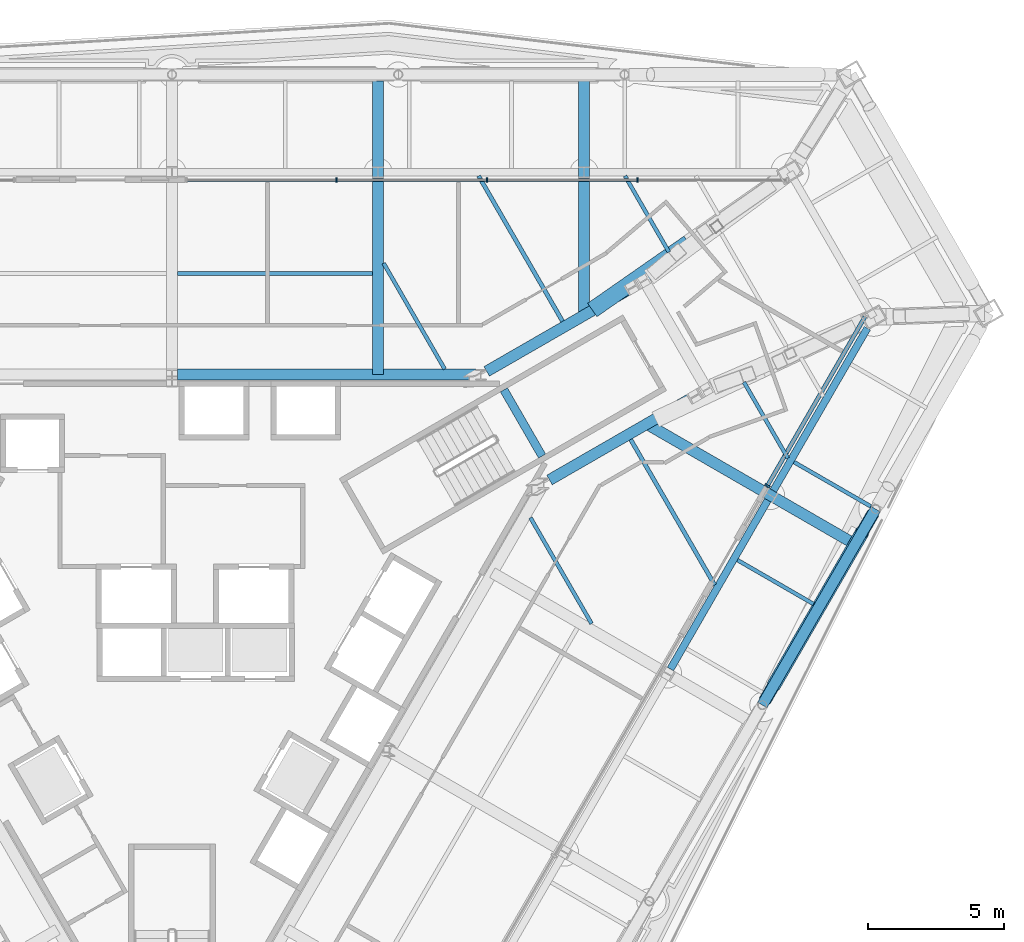
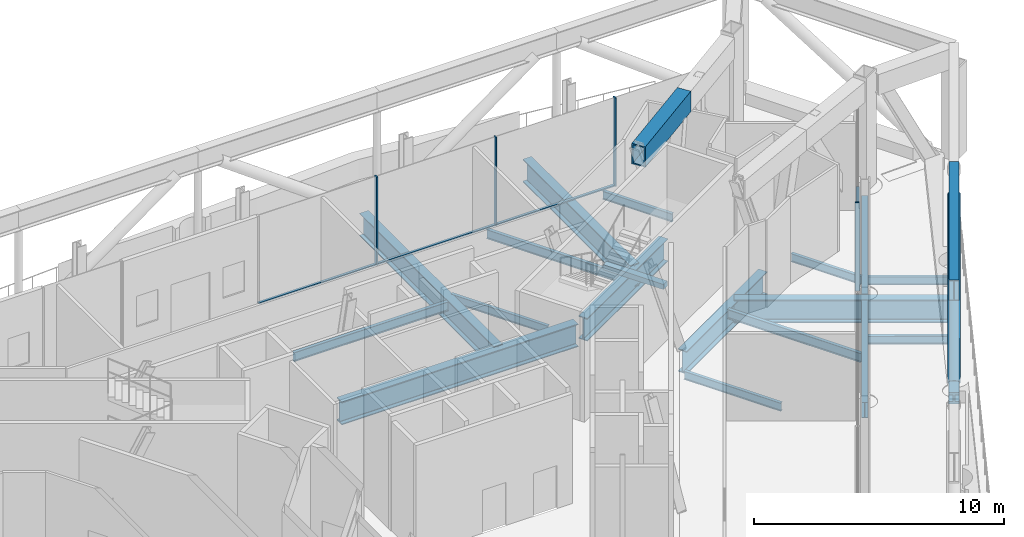
# One storey, part 11 of 25: 21 beams, 9 members, 2 elements without a shape of their own.
"""IFC4 building model written with IfcOpenShell, lengths in metres."""

from ifc_helpers import new_model, si_unit, direction, frame, origin, origin_2d, place, context, subcontext, project, spatial, rectangle, hollow_rectangle, hollow_circle, i_section, extrude, material, material_profile, profile_set, type_object, element, aggregate, save


model = new_model("IFC4")

# Units and contexts
model_context = context("Model", 3, precision=1e-05, world=origin(), true_north=direction((0.0, 1.0)))
body_context = subcontext(model_context, "Body", "Model", "MODEL_VIEW")
ifc_project = project(units=[si_unit("LENGTHUNIT", "METRE"), si_unit("AREAUNIT", "SQUARE_METRE"), si_unit("VOLUMEUNIT", "CUBIC_METRE"), si_unit("PLANEANGLEUNIT", "RADIAN"), si_unit("MASSUNIT", "GRAM", prefix="KILO")], contexts=[model_context])

# Site, building, storey
site_placement = place(None, origin())
site = spatial("IfcSite", under=ifc_project, at=site_placement, CompositionType="ELEMENT")
building_placement = place(site_placement, origin())
building = spatial("IfcBuilding", under=site, at=building_placement, Name="Verrane Prism Tower", CompositionType="ELEMENT")
storey_placement = place(building_placement, frame((0.0, 0.0, 143.199951171875)))
storey = spatial("IfcBuildingStorey", under=building, at=storey_placement, Name="L35", CompositionType="ELEMENT", Elevation=143.199951171875)

# Beams
ifc_material_1 = material(Name="Steel A992", Category="steel")
ifc_material_profile_1 = material_profile(ifc_material_1, i_section(OverallWidth=0.45458984375, OverallDepth=0.56884765625, WebThickness=0.077880859375, FlangeThickness=0.124755859375, FilletRadius=0.01513671875, at=origin_2d()), Name="W14x730")
ifc_profile_set_1 = profile_set([ifc_material_profile_1], Name="Steel A992")
beam_type_1 = type_object("IfcBeamType", Name="Belt truss chord W14x730", PredefinedType="BEAM", material=ifc_profile_set_1)
beam_1_placement = place(storey_placement, frame((21.711181640625, -2.769287109375, -0.445556640625), z_axis=(0.50043226125, 0.865775693757, 0.0), x_axis=(-0.865775693757, 0.50043226125, 0.0)))
element("IfcBeam", 1, at=beam_1_placement, inside=storey, type_object=beam_type_1, Name="Belt truss chord L35", PredefinedType="BEAM", context=body_context, shape_type="SweptSolid", body=[
    extrude(i_section(OverallWidth=0.45458984375, OverallDepth=0.56884765625, WebThickness=0.077880859375, FlangeThickness=0.124755859375, FilletRadius=0.01513671875, at=origin_2d()), origin(), (0.0, 0.0, 1.0), 7.96826171875),
])
ifc_material_2 = material(Name="Steel A992", Category="steel")
ifc_material_profile_2 = material_profile(ifc_material_2, i_section(OverallWidth=0.4013671875, OverallDepth=1.000732421875, WebThickness=0.01904296875, FlangeThickness=0.0361328125, FilletRadius=0.030029296875, at=origin_2d()), Name="W40x249")
ifc_profile_set_2 = profile_set([ifc_material_profile_2], Name="Steel A992")
beam_type_2 = type_object("IfcBeamType", Name="Belt truss chord W40x249", PredefinedType="BEAM", material=ifc_profile_set_2)
beam_2_placement = place(storey_placement, frame((21.6298828125, -2.909912109375, 4.939697265625), z_axis=(0.500435030405, 0.865774093135, 0.0), x_axis=(-0.865774093135, 0.500435030405, 0.0)))
element("IfcBeam", 2, at=beam_2_placement, inside=storey, type_object=beam_type_2, Name="Belt truss chord L35", PredefinedType="BEAM", context=body_context, shape_type="SweptSolid", body=[
    extrude(i_section(OverallWidth=0.4013671875, OverallDepth=1.000732421875, WebThickness=0.01904296875, FlangeThickness=0.0361328125, FilletRadius=0.030029296875, at=origin_2d()), origin(), (0.0, 0.0, 1.0), 8.29296875),
])

# Member
ifc_material_3 = material(Name="Steel A500 Grade C", Category="steel")
ifc_material_profile_3 = material_profile(ifc_material_3, hollow_circle(Radius=0.25390625, WallThickness=0.0126953125, at=origin_2d()), Name="HSS20.000x0.500")
ifc_profile_set_3 = profile_set([ifc_material_profile_3], Name="Steel A500 Grade C")
member_type_1 = type_object("IfcMemberType", Name="Belt truss diagonal HSS20.000x0.500", PredefinedType="BRACE", material=ifc_profile_set_3)
member_1_placement = place(storey_placement, frame((22.044677734375, -2.192626953125, -0.160888671875), z_axis=(0.404989270182, 0.700708769601, 0.587359269309), x_axis=(-0.865792640311, 0.500402941621, 0.0)))
element("IfcMember", 3, at=member_1_placement, inside=storey, type_object=member_type_1, Name="Belt truss diagonal L35", PredefinedType="BRACE", context=body_context, shape_type="SweptSolid", body=[
    extrude(hollow_circle(Radius=0.25390625, WallThickness=0.0126953125, at=origin_2d()), origin(), (0.0, 0.0, 1.0), 8.018798828125),
])

# Beams
ifc_material_4 = material(Name="Steel A992", Category="steel")
ifc_material_profile_4 = material_profile(ifc_material_4, i_section(OverallWidth=0.140380859375, OverallDepth=0.40380859375, WebThickness=0.007080078125, FlangeThickness=0.01123046875, FilletRadius=0.01025390625, at=origin_2d()), Name="W16x31")
ifc_profile_set_4 = profile_set([ifc_material_profile_4], Name="Steel A992")
beam_type_3 = type_object("IfcBeamType", Name="Floor beam W16x31", PredefinedType="BEAM", material=ifc_profile_set_4)
beam_3_placement = place(storey_placement, frame((18.20703125, 13.688232421875, -0.36181640625), z_axis=(-0.499947822806, 0.866055526205, 0.0), x_axis=(-0.866055526205, -0.499947822806, 0.0)))
element("IfcBeam", 4, at=beam_3_placement, inside=storey, type_object=beam_type_3, Name="Floor beam L35", PredefinedType="BEAM", context=body_context, shape_type="SweptSolid", body=[
    extrude(i_section(OverallWidth=0.140380859375, OverallDepth=0.40380859375, WebThickness=0.007080078125, FlangeThickness=0.01123046875, FilletRadius=0.01025390625, at=origin_2d()), origin(), (0.0, 0.0, 1.0), 3.219482421875),
])
beam_4_placement = place(storey_placement, frame((9.990478515625, 9.402099609375, -0.36181640625), z_axis=(-0.50002771935, 0.866009399419, 0.0), x_axis=(-0.866009399419, -0.50002771935, 0.0)))
element("IfcBeam", 5, at=beam_4_placement, inside=storey, type_object=beam_type_3, Name="Floor beam L35", PredefinedType="BEAM", context=body_context, shape_type="SweptSolid", body=[
    extrude(i_section(OverallWidth=0.140380859375, OverallDepth=0.40380859375, WebThickness=0.007080078125, FlangeThickness=0.01123046875, FilletRadius=0.01025390625, at=origin_2d()), origin(), (0.0, 0.0, 1.0), 4.476806640625),
])
beam_5_placement = place(storey_placement, frame((25.6044921875, 4.36669921875, -0.36181640625), z_axis=(-0.86600537477, 0.500034689667, 0.0), x_axis=(-0.500034689667, -0.86600537477, 0.0)))
element("IfcBeam", 6, at=beam_5_placement, inside=storey, type_object=beam_type_3, Name="Floor beam L35", PredefinedType="BEAM", context=body_context, shape_type="SweptSolid", body=[
    extrude(i_section(OverallWidth=0.140380859375, OverallDepth=0.40380859375, WebThickness=0.007080078125, FlangeThickness=0.01123046875, FilletRadius=0.01025390625, at=origin_2d()), origin(), (0.0, 0.0, 1.0), 3.248779296875),
])
beam_6_placement = place(storey_placement, frame((23.50634765625, 0.790771484375, -0.36181640625), z_axis=(-0.866036570771, 0.499980657714, 0.0), x_axis=(-0.499980657714, -0.866036570771, 0.0)))
element("IfcBeam", 7, at=beam_6_placement, inside=storey, type_object=beam_type_3, Name="Floor beam L35", PredefinedType="BEAM", context=body_context, shape_type="SweptSolid", body=[
    extrude(i_section(OverallWidth=0.140380859375, OverallDepth=0.40380859375, WebThickness=0.007080078125, FlangeThickness=0.01123046875, FilletRadius=0.01025390625, at=origin_2d()), origin(), (0.0, 0.0, 1.0), 3.219482421875),
])
beam_7_placement = place(storey_placement, frame((15.373291015625, 0.073486328125, -0.36181640625), z_axis=(-0.499989762656, 0.866031314237, 0.0), x_axis=(-0.866031314237, -0.499989762656, 0.0)))
element("IfcBeam", 8, at=beam_7_placement, inside=storey, type_object=beam_type_3, Name="Floor beam L35", PredefinedType="BEAM", context=body_context, shape_type="SweptSolid", body=[
    extrude(i_section(OverallWidth=0.140380859375, OverallDepth=0.40380859375, WebThickness=0.007080078125, FlangeThickness=0.01123046875, FilletRadius=0.01025390625, at=origin_2d()), origin(), (0.0, 0.0, 1.0), 4.47998046875),
])
beam_8_placement = place(storey_placement, frame((22.56494140625, 6.133544921875, -0.36181640625), z_axis=(-0.499991807846, 0.866030133475, 0.0), x_axis=(-0.866030133475, -0.499991807846, 0.0)))
element("IfcBeam", 9, at=beam_8_placement, inside=storey, type_object=beam_type_3, Name="Floor beam L35", PredefinedType="BEAM", context=body_context, shape_type="SweptSolid", body=[
    extrude(i_section(OverallWidth=0.140380859375, OverallDepth=0.40380859375, WebThickness=0.007080078125, FlangeThickness=0.01123046875, FilletRadius=0.01025390625, at=origin_2d()), origin(), (0.0, 0.0, 1.0), 3.216796875),
])
ifc_material_5 = material(Name="Steel A992", Category="steel")
ifc_material_profile_5 = material_profile(ifc_material_5, i_section(OverallWidth=0.15234375, OverallDepth=0.449462890625, WebThickness=0.007568359375, FlangeThickness=0.0107421875, FilletRadius=0.01025390625, at=origin_2d()), Name="W18x35")
ifc_profile_set_5 = profile_set([ifc_material_profile_5], Name="Steel A992")
beam_type_4 = type_object("IfcBeamType", Name="Floor beam W18x35", PredefinedType="BEAM", material=ifc_profile_set_5)
beam_9_placement = place(storey_placement, frame((14.310302734375, 11.148681640625, -0.384765625), z_axis=(-0.49998467404, 0.866034252051, 0.0), x_axis=(-0.866034252051, -0.49998467404, 0.0)))
element("IfcBeam", 10, at=beam_9_placement, inside=storey, type_object=beam_type_4, Name="Floor beam L35", PredefinedType="BEAM", context=body_context, shape_type="SweptSolid", body=[
    extrude(i_section(OverallWidth=0.15234375, OverallDepth=0.449462890625, WebThickness=0.007568359375, FlangeThickness=0.0107421875, FilletRadius=0.01025390625, at=origin_2d()), origin(), (0.0, 0.0, 1.0), 6.152099609375),
])
beam_10_placement = place(storey_placement, frame((0.201904296875, 12.905029296875, -0.384765625), z_axis=(1.0, 0.0, 0.0), x_axis=(0.0, 1.0, 0.0)))
element("IfcBeam", 11, at=beam_10_placement, inside=storey, type_object=beam_type_4, Name="Floor beam L35", PredefinedType="BEAM", context=body_context, shape_type="SweptSolid", body=[
    extrude(i_section(OverallWidth=0.15234375, OverallDepth=0.449462890625, WebThickness=0.007568359375, FlangeThickness=0.0107421875, FilletRadius=0.01025390625, at=origin_2d()), origin(), (0.0, 0.0, 1.0), 7.14599609375),
])
beam_11_placement = place(storey_placement, frame((19.8837890625, 1.487548828125, -0.384765625), z_axis=(-0.500007360046, 0.866021154418, 0.0), x_axis=(-0.866021154418, -0.500007360046, 0.0)))
element("IfcBeam", 12, at=beam_11_placement, inside=storey, type_object=beam_type_4, Name="Floor beam L35", PredefinedType="BEAM", context=body_context, shape_type="SweptSolid", body=[
    extrude(i_section(OverallWidth=0.15234375, OverallDepth=0.449462890625, WebThickness=0.007568359375, FlangeThickness=0.0107421875, FilletRadius=0.01025390625, at=origin_2d()), origin(), (0.0, 0.0, 1.0), 6.15673828125),
])

# Curtain wall, members
ifc_material_6 = material(Name="Aluminium framed insulated glazing", Category="aluminium")
curtain_wall_type_1 = type_object("IfcCurtainWallType", Name="Curtain wall CW-B 5600 module", PredefinedType="NOTDEFINED", material=ifc_material_6)
curtain_wall_1_placement = place(storey_placement, origin())
curtain_wall_1 = element("IfcCurtainWall", 13, at=curtain_wall_1_placement, inside=storey, type_object=curtain_wall_type_1, Name="Refuge lounge glazing north face L35 1", PredefinedType="NOTDEFINED")
ifc_material_7 = material(Name="Aluminium alloy 6063-T6", Category="aluminium")
ifc_material_profile_6 = material_profile(ifc_material_7, rectangle(XDim=0.159912109375, YDim=0.06005859375, at=origin_2d()), Name="Mullion 60x160 aluminium")
ifc_profile_set_6 = profile_set([ifc_material_profile_6], Name="Aluminium alloy 6063-T6")
member_type_2 = type_object("IfcMemberType", Name="Mullion 60x160 aluminium", PredefinedType="MULLION", material=ifc_profile_set_6)
member_2_placement = place(storey_placement, frame((17.054443359375, 16.3310546875, 0.0), z_axis=(0.0, 0.0, 1.0), x_axis=(0.0, -1.0, 0.0)))
member_2 = element("IfcMember", 14, at=member_2_placement, type_object=member_type_2, Name="CW35.2.1 mullion 2", PredefinedType="MULLION", context=body_context, shape_type="SweptSolid", body=[
    extrude(rectangle(XDim=0.159912109375, YDim=0.06005859375, at=origin_2d()), origin(), (0.0, 0.0, 1.0), 4.322509765625),
])
member_3_placement = place(storey_placement, frame((11.53857421875, 16.3310546875, 0.0), z_axis=(0.0, 0.0, 1.0), x_axis=(0.0, -1.0, 0.0)))
member_3 = element("IfcMember", 15, at=member_3_placement, type_object=member_type_2, Name="CW35.2.1 mullion 3", PredefinedType="MULLION", context=body_context, shape_type="SweptSolid", body=[
    extrude(rectangle(XDim=0.159912109375, YDim=0.06005859375, at=origin_2d()), origin(), (0.0, 0.0, 1.0), 4.322509765625),
])
member_4_placement = place(storey_placement, frame((6.022705078125, 16.3310546875, 0.0), z_axis=(0.0, 0.0, 1.0), x_axis=(0.0, -1.0, 0.0)))
member_4 = element("IfcMember", 16, at=member_4_placement, type_object=member_type_2, Name="CW35.2.1 mullion 4", PredefinedType="MULLION", context=body_context, shape_type="SweptSolid", body=[
    extrude(rectangle(XDim=0.159912109375, YDim=0.06005859375, at=origin_2d()), origin(), (0.0, 0.0, 1.0), 4.322509765625),
])

# Curtain wall, member
ifc_material_8 = material(Name="Aluminium framed insulated glazing", Category="aluminium")
curtain_wall_type_2 = type_object("IfcCurtainWallType", Name="Curtain wall CW-A 8400 module", PredefinedType="NOTDEFINED", material=ifc_material_8)
curtain_wall_2_placement = place(storey_placement, origin())
curtain_wall_2 = element("IfcCurtainWall", 17, at=curtain_wall_2_placement, inside=storey, type_object=curtain_wall_type_2, Name="Refuge lounge glazing south-east face L35 3", PredefinedType="NOTDEFINED")
ifc_material_9 = material(Name="Aluminium alloy 6063-T6", Category="aluminium")
ifc_material_profile_7 = material_profile(ifc_material_9, rectangle(XDim=0.199951171875, YDim=0.070068359375, at=origin_2d()), Name="Mullion 70x200 aluminium")
ifc_profile_set_7 = profile_set([ifc_material_profile_7], Name="Aluminium alloy 6063-T6")
member_type_3 = type_object("IfcMemberType", Name="Mullion 70x200 aluminium", PredefinedType="MULLION", material=ifc_profile_set_7)
member_5_placement = place(storey_placement, frame((21.817626953125, 5.12744140625, 0.0), z_axis=(0.0, 0.0, 1.0), x_axis=(-0.866022636037, 0.500004793849, 0.0)))
member_5 = element("IfcMember", 18, at=member_5_placement, type_object=member_type_3, Name="CW35.6.3 mullion 1", PredefinedType="MULLION", context=body_context, shape_type="SweptSolid", body=[
    extrude(rectangle(XDim=0.199951171875, YDim=0.070068359375, at=origin_2d()), origin(), (0.0, 0.0, 1.0), 4.322509765625),
])

# Beams
ifc_material_10 = material(Name="Steel A572 Grade 50", Category="steel")
ifc_material_profile_8 = material_profile(ifc_material_10, hollow_rectangle(XDim=0.60009765625, YDim=1.0, WallThickness=0.06005859375, at=origin_2d()), Name="BOX 1000x600x60")
ifc_profile_set_8 = profile_set([ifc_material_profile_8], Name="Steel A572 Grade 50")
beam_type_5 = type_object("IfcBeamType", Name="Outrigger truss chord BOX 1000x600x60", PredefinedType="BEAM", material=ifc_profile_set_8)
beam_12_placement = place(storey_placement, frame((18.929931640625, 14.02490234375, 4.93994140625), z_axis=(-0.820503788975, -0.57164108694, 0.0), x_axis=(0.57164108694, -0.820503788975, 0.0)))
element("IfcBeam", 19, at=beam_12_placement, inside=storey, type_object=beam_type_5, Name="Outrigger truss chord L35", PredefinedType="BEAM", context=body_context, shape_type="SweptSolid", body=[
    extrude(hollow_rectangle(XDim=0.60009765625, YDim=1.0, WallThickness=0.06005859375, at=origin_2d()), origin(), (0.0, 0.0, 1.0), 4.3037109375),
])
ifc_material_11 = material(Name="Steel A992", Category="steel")
ifc_material_profile_9 = material_profile(ifc_material_11, i_section(OverallWidth=0.2666015625, OverallDepth=0.7568359375, WebThickness=0.013916015625, FlangeThickness=0.019287109375, FilletRadius=0.0166015625, at=origin_2d()), Name="W30x108")
ifc_profile_set_9 = profile_set([ifc_material_profile_9], Name="Steel A992")
beam_type_6 = type_object("IfcBeamType", Name="Spandrel beam W30x108", PredefinedType="SPANDREL", material=ifc_profile_set_9)
beam_13_placement = place(storey_placement, frame((18.2626953125, -1.591796875, -0.538330078125), z_axis=(0.499432230493, 0.866352957601, 0.0), x_axis=(-0.866352957601, 0.499432230493, 0.0)))
element("IfcBeam", 20, at=beam_13_placement, inside=storey, type_object=beam_type_6, Name="Spandrel beam L35", PredefinedType="SPANDREL", context=body_context, shape_type="SweptSolid", body=[
    extrude(i_section(OverallWidth=0.2666015625, OverallDepth=0.7568359375, WebThickness=0.013916015625, FlangeThickness=0.019287109375, FilletRadius=0.0166015625, at=origin_2d()), origin(), (0.0, 0.0, 1.0), 7.137451171875),
])
beam_14_placement = place(storey_placement, frame((22.033203125, 4.947998046875, -0.538330078125), z_axis=(0.500974701182, 0.865461927976, 0.0), x_axis=(-0.865461927976, 0.500974701182, 0.0)))
element("IfcBeam", 21, at=beam_14_placement, inside=storey, type_object=beam_type_6, Name="Spandrel beam L35", PredefinedType="SPANDREL", context=body_context, shape_type="SweptSolid", body=[
    extrude(i_section(OverallWidth=0.2666015625, OverallDepth=0.7568359375, WebThickness=0.013916015625, FlangeThickness=0.019287109375, FilletRadius=0.0166015625, at=origin_2d()), origin(), (0.0, 0.0, 1.0), 6.877685546875),
])
ifc_material_12 = material(Name="Concrete C40/50", Category="concrete")
ifc_material_profile_10 = material_profile(ifc_material_12, rectangle(XDim=0.300048828125, YDim=0.25, at=origin_2d()), Name="RC 300x250")
ifc_profile_set_10 = profile_set([ifc_material_profile_10], Name="Concrete C40/50")
beam_type_7 = type_object("IfcBeamType", Name="Stair landing trimmer beam 300x250 concrete C40/50", PredefinedType="BEAM", material=ifc_profile_set_10)
beam_15_placement = place(storey_placement, frame((12.160400390625, 8.637451171875, 2.47509765625), z_axis=(0.500049511043, -0.865996816683, 0.0), x_axis=(0.865996816683, 0.500049511043, 0.0)))
element("IfcBeam", 22, at=beam_15_placement, inside=storey, type_object=beam_type_7, Name="Stair 1 landing trimmer beam", PredefinedType="BEAM", context=body_context, shape_type="SweptSolid", body=[
    extrude(rectangle(XDim=0.300048828125, YDim=0.25, at=origin_2d()), origin(), (0.0, 0.0, 1.0), 2.800048828125),
])
ifc_material_13 = material(Name="Steel A992", Category="steel")
ifc_material_profile_11 = material_profile(ifc_material_13, i_section(OverallWidth=0.40380859375, OverallDepth=1.11767578125, WebThickness=0.026123046875, FlangeThickness=0.044921875, FilletRadius=0.02001953125, at=origin_2d()), Name="W44x335")
ifc_profile_set_11 = profile_set([ifc_material_profile_11], Name="Steel A992")
beam_type_8 = type_object("IfcBeamType", Name="Transfer girder W44x335", PredefinedType="BEAM", material=ifc_profile_set_11)
for number, where, z_axis, x_axis, name in (
    (23, (13.830810546875, 5.335693359375, -0.808837890625), (0.866455532004, 0.499254254924, 0.0), (-0.499254254924, 0.866455532004, 0.0), "Transfer girder L35"),
    (24, (17.11181640625, 12.531494140625, -0.808837890625), (-0.866455532004, -0.499254254924, 0.0), (0.499254254924, -0.866455532004, 0.0), "Transfer girder L35"),
):
    element("IfcBeam", number, at=place(storey_placement, frame(where, z_axis=z_axis, x_axis=x_axis)), inside=storey, type_object=beam_type_8, Name=name, PredefinedType="BEAM", context=body_context, shape_type="SweptSolid", body=[
        extrude(i_section(OverallWidth=0.40380859375, OverallDepth=1.11767578125, WebThickness=0.026123046875, FlangeThickness=0.044921875, FilletRadius=0.02001953125, at=origin_2d()), origin(), (0.0, 0.0, 1.0), 6.441162109375),
    ])
beam_16_placement = place(storey_placement, frame((11.12939453125, 9.199951171875, -0.808837890625), z_axis=(-1.0, 0.0, 0.0), x_axis=(0.0, -1.0, 0.0)))
element("IfcBeam", 25, at=beam_16_placement, inside=storey, type_object=beam_type_8, Name="Transfer girder L35", PredefinedType="BEAM", context=body_context, shape_type="SweptSolid", body=[
    extrude(i_section(OverallWidth=0.40380859375, OverallDepth=1.11767578125, WebThickness=0.026123046875, FlangeThickness=0.044921875, FilletRadius=0.02001953125, at=origin_2d()), origin(), (0.0, 0.0, 1.0), 10.9287109375),
])
beam_17_placement = place(storey_placement, frame((15.10009765625, 19.962646484375, -0.71875), z_axis=(0.0, -1.0, 0.0), x_axis=(1.0, 0.0, 0.0)))
element("IfcBeam", 26, at=beam_17_placement, inside=storey, type_object=beam_type_8, Name="Transfer girder L35", PredefinedType="BEAM", context=body_context, shape_type="SweptSolid", body=[
    extrude(i_section(OverallWidth=0.40380859375, OverallDepth=1.11767578125, WebThickness=0.026123046875, FlangeThickness=0.044921875, FilletRadius=0.02001953125, at=origin_2d()), origin(), (0.0, 0.0, 1.0), 8.59033203125),
])
beam_18_placement = place(storey_placement, frame((7.550048828125, 19.962646484375, -0.71875), z_axis=(0.0, -1.0, 0.0), x_axis=(1.0, 0.0, 0.0)))
element("IfcBeam", 27, at=beam_18_placement, inside=storey, type_object=beam_type_8, Name="Transfer girder L35", PredefinedType="BEAM", context=body_context, shape_type="SweptSolid", body=[
    extrude(i_section(OverallWidth=0.40380859375, OverallDepth=1.11767578125, WebThickness=0.026123046875, FlangeThickness=0.044921875, FilletRadius=0.02001953125, at=origin_2d()), origin(), (0.0, 0.0, 1.0), 10.7626953125),
])
beam_19_placement = place(storey_placement, frame((24.836181640625, 3.092041015625, -0.71875), z_axis=(-0.86601763207, 0.500013460763, 0.0), x_axis=(-0.500013460763, -0.86601763207, 0.0)))
element("IfcBeam", 28, at=beam_19_placement, inside=storey, type_object=beam_type_8, Name="Transfer girder L35", PredefinedType="BEAM", context=body_context, shape_type="SweptSolid", body=[
    extrude(i_section(OverallWidth=0.40380859375, OverallDepth=1.11767578125, WebThickness=0.026123046875, FlangeThickness=0.044921875, FilletRadius=0.02001953125, at=origin_2d()), origin(), (0.0, 0.0, 1.0), 8.593505859375),
])

# Member
ifc_material_14 = material(Name="Aluminium alloy 6063-T6", Category="aluminium")
ifc_material_profile_12 = material_profile(ifc_material_14, rectangle(XDim=0.1201171875, YDim=0.06005859375, at=origin_2d()), Name="Transom 60x120 aluminium")
ifc_profile_set_12 = profile_set([ifc_material_profile_12], Name="Aluminium alloy 6063-T6")
member_type_4 = type_object("IfcMemberType", Name="Transom 60x120 aluminium", PredefinedType="USERDEFINED", material=ifc_profile_set_12)
member_6_placement = place(storey_placement, frame((17.0244140625, 16.3310546875, 0.030029296875), z_axis=(-1.0, 0.0, 0.0), x_axis=(0.0, -1.0, 0.0)))
member_6 = element("IfcMember", 29, at=member_6_placement, type_object=member_type_4, Name="CW35.2.1 transom 2", ObjectType="TRANSOM", PredefinedType="USERDEFINED", context=body_context, shape_type="SweptSolid", body=[
    extrude(rectangle(XDim=0.1201171875, YDim=0.06005859375, at=origin_2d()), origin(), (0.0, 0.0, 1.0), 5.455810546875),
])

member_7_placement = place(storey_placement, frame((11.508544921875, 16.3310546875, 0.030029296875), z_axis=(-1.0, 0.0, 0.0), x_axis=(0.0, -1.0, 0.0)))
member_7 = element("IfcMember", 30, at=member_7_placement, type_object=member_type_4, Name="CW35.2.1 transom 3", ObjectType="TRANSOM", PredefinedType="USERDEFINED", context=body_context, shape_type="SweptSolid", body=[
    extrude(rectangle(XDim=0.1201171875, YDim=0.06005859375, at=origin_2d()), origin(), (0.0, 0.0, 1.0), 5.455810546875),
])

member_8_placement = place(storey_placement, frame((5.992919921875, 16.3310546875, 0.030029296875), z_axis=(-1.0, 0.0, 0.0), x_axis=(0.0, -1.0, 0.0)))
member_8 = element("IfcMember", 31, at=member_8_placement, type_object=member_type_4, Name="CW35.2.1 transom 4", ObjectType="TRANSOM", PredefinedType="USERDEFINED", context=body_context, shape_type="SweptSolid", body=[
    extrude(rectangle(XDim=0.1201171875, YDim=0.06005859375, at=origin_2d()), origin(), (0.0, 0.0, 1.0), 5.426025390625),
])

aggregate(curtain_wall_1, [member_2, member_3, member_4, member_6, member_7, member_8])

ifc_material_15 = material(Name="Aluminium alloy 6063-T6", Category="aluminium")
ifc_material_profile_13 = material_profile(ifc_material_15, rectangle(XDim=0.14990234375, YDim=0.070068359375, at=origin_2d()), Name="Transom 70x150 aluminium")
ifc_profile_set_13 = profile_set([ifc_material_profile_13], Name="Aluminium alloy 6063-T6")
member_type_5 = type_object("IfcMemberType", Name="Transom 70x150 aluminium", PredefinedType="USERDEFINED", material=ifc_profile_set_13)
member_9_placement = place(storey_placement, frame((21.835205078125, 5.15771484375, 0.03515625), z_axis=(0.500013496215, 0.866017611601, 0.0), x_axis=(-0.866017611601, 0.500013496215, 0.0)))
member_9 = element("IfcMember", 32, at=member_9_placement, type_object=member_type_5, Name="CW35.6.3 transom 1", ObjectType="TRANSOM", PredefinedType="USERDEFINED", context=body_context, shape_type="SweptSolid", body=[
    extrude(rectangle(XDim=0.14990234375, YDim=0.070068359375, at=origin_2d()), origin(), (0.0, 0.0, 1.0), 7.115966796875),
])

aggregate(curtain_wall_2, [member_5, member_9])

save(model, "model.ifc")
